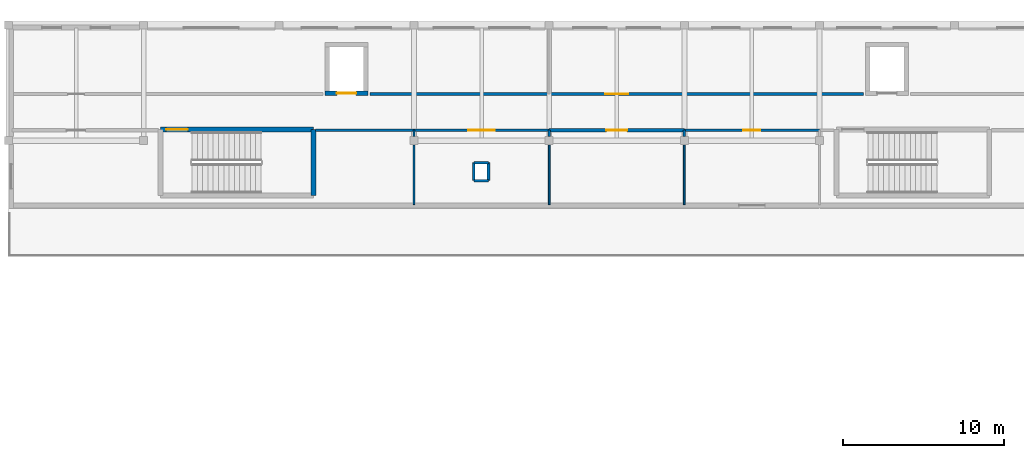
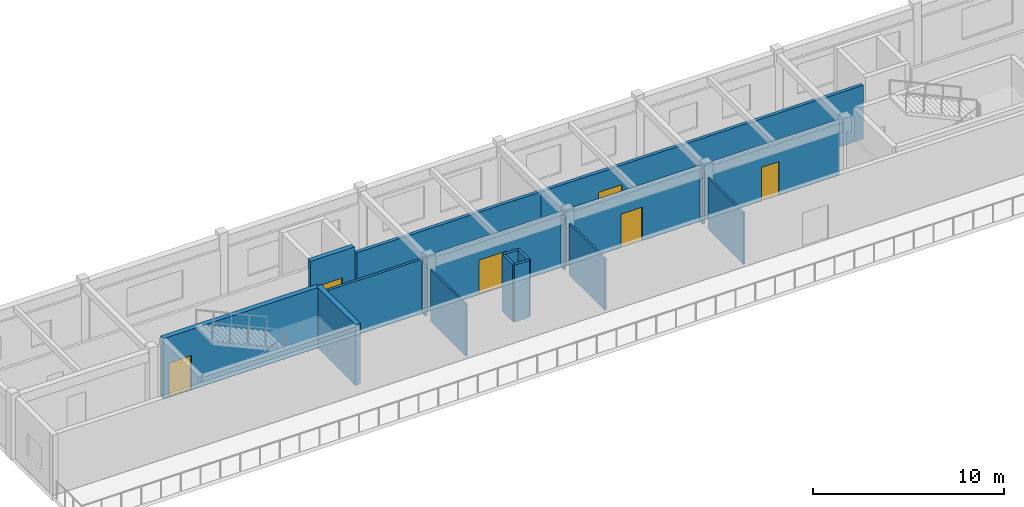
# One storey, part 5 of 14: 19 walls, 6 doors, 6 openings.
"""IFC4 building model written with IfcOpenShell, lengths in metres."""

from ifc_helpers import new_model, si_unit, direction, frame, frame_2d, origin, place, context, subcontext, project, spatial, rectangle, extrude, material, layer, layer_set, type_object, element, fill, save


model = new_model("IFC4")

# Units and contexts
model_context = context("Model", 3, precision=1e-05, world=origin(), true_north=direction((0.0, 1.0)))
body_context = subcontext(model_context, "Body", "Model", "MODEL_VIEW")
ifc_project = project(units=[si_unit("LENGTHUNIT", "METRE"), si_unit("AREAUNIT", "SQUARE_METRE"), si_unit("VOLUMEUNIT", "CUBIC_METRE"), si_unit("PLANEANGLEUNIT", "RADIAN"), si_unit("MASSUNIT", "GRAM", prefix="KILO")], contexts=[model_context])

# Site, building, storey
site_placement = place(None, origin())
site = spatial("IfcSite", under=ifc_project, at=site_placement, CompositionType="ELEMENT")
building_placement = place(site_placement, origin())
building = spatial("IfcBuilding", under=site, at=building_placement, Name="Malvenik Polytechnic", CompositionType="ELEMENT")
storey_placement = place(building_placement, frame((0.0, 0.0, 21.89990234375)))
storey = spatial("IfcBuildingStorey", under=building, at=storey_placement, Name="L05", CompositionType="ELEMENT", Elevation=21.89990234375)

# Wall, opening, door
ifc_material_1 = material(Name="Concrete C35/45", Category="concrete")
ifc_layer_1 = layer(ifc_material_1, 0.280029296875)
ifc_layer_set_1 = layer_set([ifc_layer_1], Name="Concrete C35/45")
wall_type_1 = type_object("IfcWallType", Name="ARC-CW-S280", PredefinedType="SHEAR", material=ifc_layer_set_1)
wall_1_placement = place(storey_placement, frame((22.340087890625, 125.35009765625, 0.0), z_axis=(0.0, 0.0, 1.0), x_axis=(-1.0, 0.0, 0.0)))
wall_1 = element("IfcWall", 1, at=wall_1_placement, inside=storey, type_object=wall_type_1, Name="Lift Shaft Shear Wall LS-01 L05 -Y", PredefinedType="SHEAR", context=body_context, shape_type="SweptSolid", body=[
    extrude(rectangle(XDim=2.68017578125, YDim=0.280029296875, at=frame_2d((1.340087890625, 0.0))), origin(), (0.0, 0.0, 1.0), 3.880126953125),
])
opening_1_placement = place(wall_1_placement, frame((0.739990234375, 0.0, 0.0)))
opening_1 = element("IfcOpeningElement", 2, at=opening_1_placement, cuts=wall_1, Name="Opening LD-02", PredefinedType="OPENING", context=body_context, shape_type="SweptSolid", body=[
    extrude(rectangle(XDim=1.199951171875, YDim=2.14990234375, at=frame_2d((0.60009765625, 1.074951171875))), frame((0.0, 0.14990234375, 0.0), z_axis=(0.0, -1.0, 0.0), x_axis=(1.0, 0.0, 0.0)), (0.0, 0.0, 1.0), 0.300048828125),
])
ifc_material_2 = material(Name="Stainless steel fire-rated sliding lift landing door", Category="steel")
door_type_1 = type_object("IfcDoorType", Name="ARC-LDR-LD-02", OperationType="NOTDEFINED", PredefinedType="DOOR", material=ifc_material_2)
door_1_placement = place(opening_1_placement, origin())
door_1 = element("IfcDoor", 3, at=door_1_placement, inside=storey, type_object=door_type_1, Name="Lift Sliding Landing Door LS-01 L05", OperationType="DOUBLE_DOOR_SLIDING", OverallHeight=2.14990234375, OverallWidth=1.199951171875, PredefinedType="DOOR", context=body_context, shape_type="SweptSolid", body=[
    extrude(rectangle(XDim=1.199951171875, YDim=2.14990234375, at=frame_2d((0.60009765625, 1.074951171875))), frame((0.0, 0.02490234375, 0.0), z_axis=(0.0, -1.0, 0.0), x_axis=(1.0, 0.0, 0.0)), (0.0, 0.0, 1.0), 0.050048828125),
])
fill(opening_1, door_1)

ifc_layer_2 = layer(ifc_material_1, 0.300048828125)
ifc_layer_set_2 = layer_set([ifc_layer_2], Name="Concrete C35/45")
wall_type_2 = type_object("IfcWallType", Name="ARC-CW-S300", PredefinedType="SHEAR", material=ifc_layer_set_2)
wall_2_placement = place(storey_placement, frame((9.449951171875, 123.10009765625, 0.0), z_axis=(0.0, 0.0, 1.0), x_axis=(1.0, 0.0, 0.0)))
wall_2 = element("IfcWall", 4, at=wall_2_placement, inside=storey, type_object=wall_type_2, Name="Stair Core Shear Wall ST-01 L05 RGHT", PredefinedType="SHEAR", context=body_context, shape_type="SweptSolid", body=[
    extrude(rectangle(XDim=9.5, YDim=0.300048828125, at=frame_2d((4.75, 0.0))), origin(), (0.0, 0.0, 1.0), 3.880126953125),
])
opening_2_placement = place(wall_2_placement, frame((0.35009765625, 0.0, 0.0)))
opening_2 = element("IfcOpeningElement", 5, at=opening_2_placement, cuts=wall_2, Name="Opening SD-01", PredefinedType="OPENING", context=body_context, shape_type="SweptSolid", body=[
    extrude(rectangle(XDim=1.35009765625, YDim=2.199951171875, at=frame_2d((0.675048828125, 1.10009765625))), frame((0.0, 0.16015625, 0.0), z_axis=(0.0, -1.0, 0.0), x_axis=(1.0, 0.0, 0.0)), (0.0, 0.0, 1.0), 0.320068359375),
])
ifc_material_3 = material(Name="Fire-rated steel stair enclosure door", Category="steel")
door_type_2 = type_object("IfcDoorType", Name="ARC-IDR-SD-01", OperationType="NOTDEFINED", PredefinedType="DOOR", material=ifc_material_3)
door_2_placement = place(opening_2_placement, origin())
door_2 = element("IfcDoor", 6, at=door_2_placement, inside=storey, type_object=door_type_2, Name="Fire Stair Door ST-01 L05", OperationType="SINGLE_SWING_RIGHT", OverallHeight=2.199951171875, OverallWidth=1.35009765625, PredefinedType="DOOR", context=body_context, shape_type="SweptSolid", body=[
    extrude(rectangle(XDim=1.35009765625, YDim=2.199951171875, at=frame_2d((0.675048828125, 1.10009765625))), frame((0.0, 0.02490234375, 0.0), z_axis=(0.0, -1.0, 0.0), x_axis=(1.0, 0.0, 0.0)), (0.0, 0.0, 1.0), 0.050048828125),
])
fill(opening_2, door_2)

# Walls
wall_3_placement = place(storey_placement, frame((18.949951171875, 123.10009765625, 0.0), z_axis=(0.0, 0.0, 1.0), x_axis=(0.0, -1.0, 0.0)))
element("IfcWall", 7, at=wall_3_placement, inside=storey, type_object=wall_type_2, Name="Stair Core Shear Wall ST-01 L05 FAR", PredefinedType="SHEAR", context=body_context, shape_type="SweptSolid", body=[
    extrude(rectangle(XDim=4.10009765625, YDim=0.300048828125, at=frame_2d((2.050048828125, 0.0))), origin(), (0.0, 0.0, 1.0), 3.880126953125),
])
ifc_material_4 = material(Name="Calcium silicate fire-rated blockwork 200mm", Category="masonry")
ifc_layer_3 = layer(ifc_material_4, 0.199951171875)
ifc_layer_set_3 = layer_set([ifc_layer_3], Name="Calcium silicate fire-rated blockwork 200mm")
wall_type_3 = type_object("IfcWallType", Name="ARC-FW-200", PredefinedType="SOLIDWALL", material=ifc_layer_set_3)
wall_4_placement = place(storey_placement, frame((22.469970703125, 125.300048828125, 0.0), z_axis=(0.0, 0.0, 1.0), x_axis=(1.0, 0.0, 0.0)))
element("IfcWall", 8, at=wall_4_placement, inside=storey, type_object=wall_type_3, Name="Interior Partition FW-02 L05 #390", PredefinedType="SOLIDWALL", context=body_context, shape_type="SweptSolid", body=[
    extrude(rectangle(XDim=11.130126953125, YDim=0.199951171875, at=frame_2d((5.56494140625, 0.0))), origin(), (0.0, 0.0, 1.0), 3.455078125),
])

# Wall, opening, door
wall_5_placement = place(storey_placement, frame((33.60009765625, 125.300048828125, 0.0), z_axis=(0.0, 0.0, 1.0), x_axis=(1.0, 0.0, 0.0)))
wall_5 = element("IfcWall", 9, at=wall_5_placement, inside=storey, type_object=wall_type_3, Name="Interior Partition FW-02 L05 #392", PredefinedType="SOLIDWALL", context=body_context, shape_type="SweptSolid", body=[
    extrude(rectangle(XDim=19.52978515625, YDim=0.199951171875, at=frame_2d((9.764892578125, 0.0))), origin(), (0.0, 0.0, 1.0), 3.455078125),
])
opening_3_placement = place(wall_5_placement, frame((3.47509765625, 0.0, 0.0)))
opening_3 = element("IfcOpeningElement", 10, at=opening_3_placement, cuts=wall_5, Name="Opening FD-08", PredefinedType="OPENING", context=body_context, shape_type="SweptSolid", body=[
    extrude(rectangle(XDim=1.449951171875, YDim=2.199951171875, at=frame_2d((0.72509765625, 1.10009765625))), frame((0.0, 0.10986328125, 0.0), z_axis=(0.0, -1.0, 0.0), x_axis=(1.0, 0.0, 0.0)), (0.0, 0.0, 1.0), 0.219970703125),
])
ifc_material_5 = material(Name="Fire-rated seminar corridor door", Category="steel")
door_type_3 = type_object("IfcDoorType", Name="ARC-IDR-FD-08", OperationType="NOTDEFINED", PredefinedType="DOOR", material=ifc_material_5)
door_3_placement = place(opening_3_placement, origin())
door_3 = element("IfcDoor", 11, at=door_3_placement, inside=storey, type_object=door_type_3, Name="Interior Door FD-08 L05 #165", OperationType="SINGLE_SWING_LEFT", OverallHeight=2.199951171875, OverallWidth=1.449951171875, PredefinedType="DOOR", context=body_context, shape_type="SweptSolid", body=[
    extrude(rectangle(XDim=1.449951171875, YDim=2.199951171875, at=frame_2d((0.72509765625, 1.10009765625))), frame((0.0, 0.02490234375, 0.0), z_axis=(0.0, -1.0, 0.0), x_axis=(1.0, 0.0, 0.0)), (0.0, 0.0, 1.0), 0.050048828125),
])
fill(opening_3, door_3)

wall_6_placement = place(storey_placement, frame((42.0, 123.050048828125, 0.0), z_axis=(0.0, 0.0, 1.0), x_axis=(-1.0, 0.0, 0.0)))
wall_6 = element("IfcWall", 12, at=wall_6_placement, inside=storey, type_object=wall_type_3, Name="Interior Partition FW-02 L05 #406", PredefinedType="SOLIDWALL", context=body_context, shape_type="SweptSolid", body=[
    extrude(rectangle(XDim=8.39990234375, YDim=0.199951171875, at=frame_2d((4.199951171875, 0.0))), origin(), (0.0, 0.0, 1.0), 3.455078125),
])
opening_4_placement = place(wall_6_placement, frame((3.550048828125, 0.0, 0.0)))
opening_4 = element("IfcOpeningElement", 13, at=opening_4_placement, cuts=wall_6, Name="Opening FD-04", PredefinedType="OPENING", context=body_context, shape_type="SweptSolid", body=[
    extrude(rectangle(XDim=1.300048828125, YDim=2.14990234375, at=frame_2d((0.64990234375, 1.074951171875))), frame((0.0, 0.10986328125, 0.0), z_axis=(0.0, -1.0, 0.0), x_axis=(1.0, 0.0, 0.0)), (0.0, 0.0, 1.0), 0.219970703125),
])
ifc_material_6 = material(Name="Fire-rated plant room steel door", Category="steel")
door_type_4 = type_object("IfcDoorType", Name="ARC-IDR-FD-04", OperationType="NOTDEFINED", PredefinedType="DOOR", material=ifc_material_6)
door_4_placement = place(opening_4_placement, origin())
door_4 = element("IfcDoor", 14, at=door_4_placement, inside=storey, type_object=door_type_4, Name="Interior Door FD-04 L05 #170", OperationType="SINGLE_SWING_RIGHT", OverallHeight=2.14990234375, OverallWidth=1.300048828125, PredefinedType="DOOR", context=body_context, shape_type="SweptSolid", body=[
    extrude(rectangle(XDim=1.300048828125, YDim=2.14990234375, at=frame_2d((0.64990234375, 1.074951171875))), frame((0.0, 0.02490234375, 0.0), z_axis=(0.0, -1.0, 0.0), x_axis=(1.0, 0.0, 0.0)), (0.0, 0.0, 1.0), 0.050048828125),
])
fill(opening_4, door_4)

# Walls
ifc_material_7 = material(Name="Lightweight gypsum partition 110mm", Category="gypsum")
ifc_layer_4 = layer(ifc_material_7, 0.110107421875)
ifc_layer_set_4 = layer_set([ifc_layer_4], Name="Lightweight gypsum partition 110mm")
wall_type_4 = type_object("IfcWallType", Name="ARC-PW-110", PredefinedType="PARTITIONING", material=ifc_layer_set_4)
for number, where, z_axis, x_axis, name in (
    (15, (25.199951171875, 118.419921875, 0.0), (0.0, 0.0, 1.0), (0.0, 1.0, 0.0), "Interior Partition PW-04I L05 #401"),
    (16, (33.60009765625, 118.419921875, 0.0), (0.0, 0.0, 1.0), (0.0, 1.0, 0.0), "Interior Partition PW-04I L05 #404"),
    (17, (42.0, 118.419921875, 0.0), (0.0, 0.0, 1.0), (0.0, 1.0, 0.0), "Interior Partition PW-04I L05 #407"),
):
    element("IfcWall", number, at=place(storey_placement, frame(where, z_axis=z_axis, x_axis=x_axis)), inside=storey, type_object=wall_type_4, Name=name, PredefinedType="PARTITIONING", context=body_context, shape_type="SweptSolid", body=[
        extrude(rectangle(XDim=3.7099609375, YDim=0.110107421875, at=frame_2d((1.85498046875, 0.0))), origin(), (0.0, 0.0, 1.0), 3.30517578125),
    ])
ifc_material_8 = material(Name="Acoustic metal-stud gypsum partition 140mm", Category="gypsum")
ifc_layer_5 = layer(ifc_material_8, 0.139892578125)
ifc_layer_set_5 = layer_set([ifc_layer_5], Name="Acoustic metal-stud gypsum partition 140mm")
wall_type_5 = type_object("IfcWallType", Name="ARC-PW-140", PredefinedType="PARTITIONING", material=ifc_layer_set_5)
for number, where, z_axis, x_axis, name in (
    (18, (25.199951171875, 122.669921875, 0.0), (0.0, 0.0, 1.0), (0.0, 1.0, 0.0), "Interior Partition PW-02I L05 #402"),
    (19, (33.60009765625, 122.669921875, 0.0), (0.0, 0.0, 1.0), (0.0, 1.0, 0.0), "Interior Partition PW-02I L05 #405"),
    (20, (42.0, 122.669921875, 0.0), (0.0, 0.0, 1.0), (0.0, 1.0, 0.0), "Interior Partition PW-02I L05 #408"),
):
    element("IfcWall", number, at=place(storey_placement, frame(where, z_axis=z_axis, x_axis=x_axis)), inside=storey, type_object=wall_type_5, Name=name, PredefinedType="PARTITIONING", context=body_context, shape_type="SweptSolid", body=[
        extrude(rectangle(XDim=0.380126953125, YDim=0.139892578125, at=frame_2d((0.18994140625, 0.0))), origin(), (0.0, 0.0, 1.0), 3.30517578125),
    ])
ifc_material_9 = material(Name="Double-stud acoustic gypsum board partition 160mm", Category="gypsum")
ifc_layer_6 = layer(ifc_material_9, 0.159912109375)
ifc_layer_set_6 = layer_set([ifc_layer_6], Name="Double-stud acoustic gypsum board partition 160mm")
wall_type_6 = type_object("IfcWallType", Name="ARC-PW-160", PredefinedType="PARTITIONING", material=ifc_layer_set_6)
for number, where, z_axis, x_axis, name in (
    (21, (28.919921875, 119.919921875, 0.0), (0.0, 0.0, 1.0), (1.0, 0.0, 0.0), "Riser Shaft Enclosure L05 #51S"),
    (22, (29.830078125, 121.030029296875, 0.0), (0.0, 0.0, 1.0), (-1.0, 0.0, 0.0), "Riser Shaft Enclosure L05 #51N"),
):
    element("IfcWall", number, at=place(storey_placement, frame(where, z_axis=z_axis, x_axis=x_axis)), inside=storey, type_object=wall_type_6, Name=name, PredefinedType="PARTITIONING", context=body_context, shape_type="SweptSolid", body=[
        extrude(rectangle(XDim=0.91015625, YDim=0.159912109375, at=frame_2d((0.455078125, 0.0))), origin(), (0.0, 0.0, 1.0), 3.650146484375),
    ])
for number, where, z_axis, x_axis, name in (
    (23, (28.919921875, 121.030029296875, 0.0), (0.0, 0.0, 1.0), (0.0, -1.0, 0.0), "Riser Shaft Enclosure L05 #51W"),
    (24, (29.830078125, 119.919921875, 0.0), (0.0, 0.0, 1.0), (0.0, 1.0, 0.0), "Riser Shaft Enclosure L05 #51E"),
):
    element("IfcWall", number, at=place(storey_placement, frame(where, z_axis=z_axis, x_axis=x_axis)), inside=storey, type_object=wall_type_6, Name=name, PredefinedType="PARTITIONING", context=body_context, shape_type="SweptSolid", body=[
        extrude(rectangle(XDim=1.110107421875, YDim=0.159912109375, at=frame_2d((0.55517578125, 0.0))), origin(), (0.0, 0.0, 1.0), 3.650146484375),
    ])
wall_7_placement = place(storey_placement, frame((25.199951171875, 123.050048828125, 0.0), z_axis=(0.0, 0.0, 1.0), x_axis=(-1.0, 0.0, 0.0)))
element("IfcWall", 25, at=wall_7_placement, inside=storey, type_object=wall_type_6, Name="Interior Partition PW-01I L05 #399", PredefinedType="PARTITIONING", context=body_context, shape_type="SweptSolid", body=[
    extrude(rectangle(XDim=6.10986328125, YDim=0.159912109375, at=frame_2d((3.054931640625, 0.0))), origin(), (0.0, 0.0, 1.0), 3.455078125),
])

# Wall, opening, door
wall_8_placement = place(storey_placement, frame((33.60009765625, 123.050048828125, 0.0), z_axis=(0.0, 0.0, 1.0), x_axis=(-1.0, 0.0, 0.0)))
wall_8 = element("IfcWall", 26, at=wall_8_placement, inside=storey, type_object=wall_type_6, Name="Interior Partition PW-01I L05 #403", PredefinedType="PARTITIONING", context=body_context, shape_type="SweptSolid", body=[
    extrude(rectangle(XDim=8.400146484375, YDim=0.159912109375, at=frame_2d((4.2001953125, 0.0))), origin(), (0.0, 0.0, 1.0), 3.455078125),
])
opening_5_placement = place(wall_8_placement, frame((3.375, 0.0, 0.0)))
opening_5 = element("IfcOpeningElement", 27, at=opening_5_placement, cuts=wall_8, Name="Opening FD-03", PredefinedType="OPENING", context=body_context, shape_type="SweptSolid", body=[
    extrude(rectangle(XDim=1.64990234375, YDim=2.199951171875, at=frame_2d((0.824951171875, 1.10009765625))), frame((0.0, 0.08984375, 0.0), z_axis=(0.0, -1.0, 0.0), x_axis=(1.0, 0.0, 0.0)), (0.0, 0.0, 1.0), 0.179931640625),
])
ifc_material_10 = material(Name="Fire-rated double-leaf laboratory door", Category="steel")
door_type_5 = type_object("IfcDoorType", Name="ARC-IDR-FD-03", OperationType="NOTDEFINED", PredefinedType="DOOR", material=ifc_material_10)
door_5_placement = place(opening_5_placement, origin())
door_5 = element("IfcDoor", 28, at=door_5_placement, inside=storey, type_object=door_type_5, Name="Interior Door FD-03 L05 #169", OperationType="DOUBLE_DOOR_SINGLE_SWING", OverallHeight=2.199951171875, OverallWidth=1.64990234375, PredefinedType="DOOR", context=body_context, shape_type="SweptSolid", body=[
    extrude(rectangle(XDim=1.64990234375, YDim=2.199951171875, at=frame_2d((0.824951171875, 1.10009765625))), frame((0.0, 0.02490234375, 0.0), z_axis=(0.0, -1.0, 0.0), x_axis=(1.0, 0.0, 0.0)), (0.0, 0.0, 1.0), 0.050048828125),
])
fill(opening_5, door_5)

wall_9_placement = place(storey_placement, frame((50.39990234375, 123.050048828125, 0.0), z_axis=(0.0, 0.0, 1.0), x_axis=(-1.0, 0.0, 0.0)))
wall_9 = element("IfcWall", 29, at=wall_9_placement, inside=storey, type_object=wall_type_6, Name="Interior Partition PW-01I L05 #409", PredefinedType="PARTITIONING", context=body_context, shape_type="SweptSolid", body=[
    extrude(rectangle(XDim=8.39990234375, YDim=0.159912109375, at=frame_2d((4.199951171875, 0.0))), origin(), (0.0, 0.0, 1.0), 3.455078125),
])
opening_6_placement = place(wall_9_placement, frame((3.675048828125, 0.0, 0.0)))
opening_6 = element("IfcOpeningElement", 30, at=opening_6_placement, cuts=wall_9, Name="Opening FD-05", PredefinedType="OPENING", context=body_context, shape_type="SweptSolid", body=[
    extrude(rectangle(XDim=1.050048828125, YDim=2.14990234375, at=frame_2d((0.52490234375, 1.074951171875))), frame((0.0, 0.08984375, 0.0), z_axis=(0.0, -1.0, 0.0), x_axis=(1.0, 0.0, 0.0)), (0.0, 0.0, 1.0), 0.179931640625),
])
ifc_material_11 = material(Name="Fire-rated archive room door", Category="steel")
door_type_6 = type_object("IfcDoorType", Name="ARC-IDR-FD-05", OperationType="NOTDEFINED", PredefinedType="DOOR", material=ifc_material_11)
door_6_placement = place(opening_6_placement, origin())
door_6 = element("IfcDoor", 31, at=door_6_placement, inside=storey, type_object=door_type_6, Name="Interior Door FD-05 L05 #171", OperationType="SINGLE_SWING_LEFT", OverallHeight=2.14990234375, OverallWidth=1.050048828125, PredefinedType="DOOR", context=body_context, shape_type="SweptSolid", body=[
    extrude(rectangle(XDim=1.050048828125, YDim=2.14990234375, at=frame_2d((0.52490234375, 1.074951171875))), frame((0.0, 0.02490234375, 0.0), z_axis=(0.0, -1.0, 0.0), x_axis=(1.0, 0.0, 0.0)), (0.0, 0.0, 1.0), 0.050048828125),
])
fill(opening_6, door_6)

save(model, "model.ifc")
